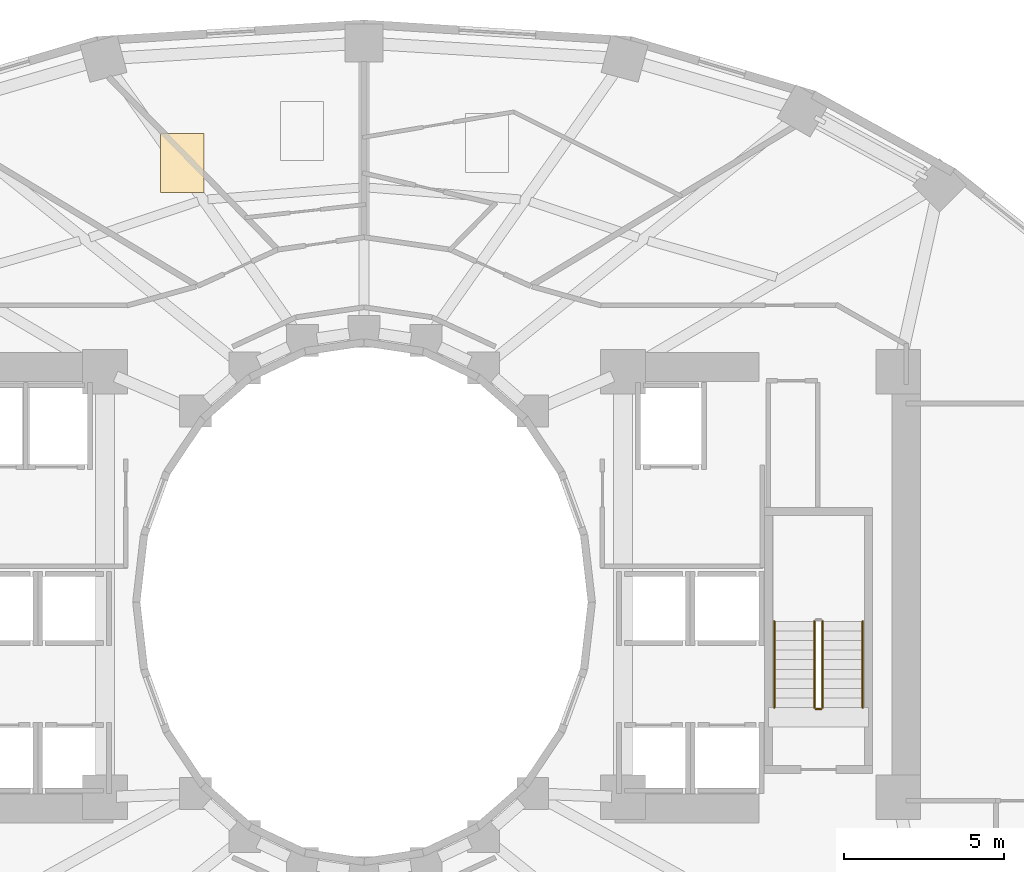
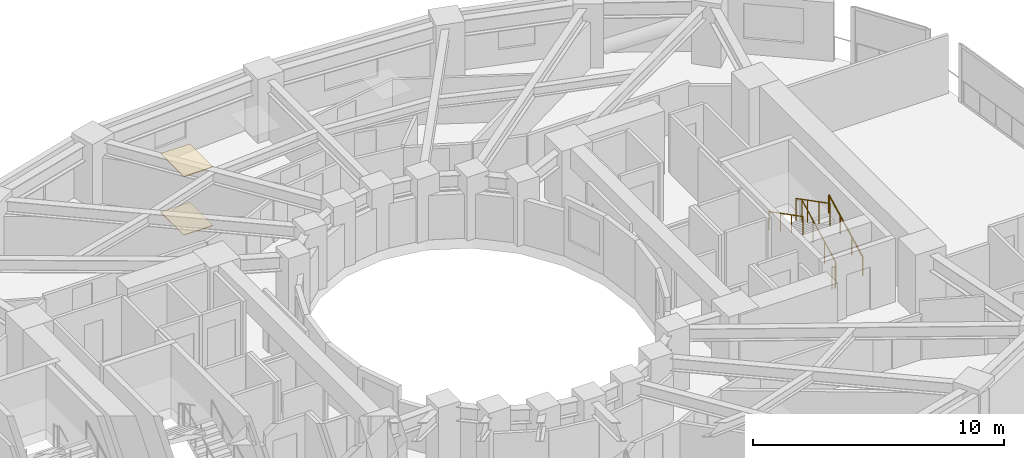
# One storey, part 13 of 15: 5 railings, 2 coverings.
"""IFC4 building model written with IfcOpenShell, lengths in metres."""

from ifc_helpers import new_model, si_unit, direction, frame, origin, origin_2d, place, context, subcontext, project, spatial, polyline, circle, outline, extrude, material, layer, layer_set, type_object, element, save


model = new_model("IFC4")

# Units and contexts
model_context = context("Model", 3, precision=1e-05, world=origin(), true_north=direction((0.0, 1.0)))
body_context = subcontext(model_context, "Body", "Model", "MODEL_VIEW")
ifc_project = project(units=[si_unit("LENGTHUNIT", "METRE"), si_unit("AREAUNIT", "SQUARE_METRE"), si_unit("VOLUMEUNIT", "CUBIC_METRE"), si_unit("PLANEANGLEUNIT", "RADIAN"), si_unit("MASSUNIT", "GRAM", prefix="KILO")], contexts=[model_context])

# Site, building, storey
site_placement = place(None, origin())
site = spatial("IfcSite", under=ifc_project, at=site_placement, CompositionType="ELEMENT")
building_placement = place(site_placement, origin())
building = spatial("IfcBuilding", under=site, at=building_placement, Name="Solvane Sanctuary Tower", CompositionType="ELEMENT")
storey_placement = place(building_placement, frame((0.0, 0.0, 46.199951171875)))
storey = spatial("IfcBuildingStorey", under=building, at=storey_placement, Name="L13", CompositionType="ELEMENT", Elevation=46.199951171875)

# Coverings
ifc_material_1 = material(Name="Acoustic Gypsum Partition Board")
ifc_layer_1 = layer(ifc_material_1, 0.02490234375, Name="Acoustic Gypsum Partition Board")
ifc_layer_set_1 = layer_set([ifc_layer_1], Name="Acoustic Gypsum Partition Board")
covering_type_1 = type_object("IfcCoveringType", Name="Covering CLG-ACOUST", PredefinedType="CEILING", material=ifc_layer_set_1)
covering_1_placement = place(storey_placement, frame((0.0, 0.0, 2.85009765625)))
element("IfcCovering", 1, at=covering_1_placement, inside=storey, type_object=covering_type_1, Name="L13 Unit Acoustic Ceiling Panel 3", PredefinedType="CEILING", context=body_context, shape_type="SweptSolid", body=[
    extrude(outline(polyline([(25.637939453125, 35.803955078125), (26.988037109375, 35.803955078125), (26.988037109375, 37.654052734375), (25.637939453125, 37.654052734375), (25.637939453125, 35.803955078125)])), origin(), (0.0, 0.0, 1.0), 0.030029296875),
])
ifc_material_2 = material(Name="Ceramic Tile Finish")
ifc_layer_2 = layer(ifc_material_2, 0.030029296875, Name="Ceramic Tile Finish")
ifc_layer_set_2 = layer_set([ifc_layer_2], Name="Ceramic Tile Finish")
covering_type_2 = type_object("IfcCoveringType", Name="Covering FLR-TERRAZZO", PredefinedType="FLOORING", material=ifc_layer_set_2)
covering_2_placement = place(storey_placement, origin())
element("IfcCovering", 2, at=covering_2_placement, inside=storey, type_object=covering_type_2, Name="L13 Unit Terrazzo Inlay 3", PredefinedType="FLOORING", context=body_context, shape_type="SweptSolid", body=[
    extrude(outline(polyline([(25.637939453125, 35.803955078125), (26.988037109375, 35.803955078125), (26.988037109375, 37.654052734375), (25.637939453125, 37.654052734375), (25.637939453125, 35.803955078125)])), origin(), (0.0, 0.0, 1.0), 0.03515625),
])

# Railings
ifc_material_3 = material(Name="Architectural Stainless Steel 316", Category="steel")
railing_type_1 = type_object("IfcRailingType", Name="Railing GR-BALC-1150", PredefinedType="BALUSTRADE", material=ifc_material_3)
railing_1_placement = place(storey_placement, frame((46.340087890625, 19.699951171875, 0.155029296875)))
element("IfcRailing", 3, at=railing_1_placement, inside=storey, type_object=railing_type_1, Name="L13 ST-2 stair guard 1", PredefinedType="BALUSTRADE", context=body_context, shape_type="SweptSolid", body=[
    extrude(circle(Radius=0.02392578125, at=origin_2d()), frame((0.0, 0.0, 1.076171875), z_axis=(0.0, 0.888419900624, 0.459031676658), x_axis=(-1.0, 0.0, 0.0)), (0.0, 0.0, 1.0), 3.0390625),
    extrude(circle(Radius=0.02099609375, at=origin_2d()), origin(), (0.0, 0.0, 1.0), 1.052001953125),
    extrude(circle(Radius=0.02099609375, at=origin_2d()), frame((0.0, 0.89990234375, 0.465087890625)), (0.0, 0.0, 1.0), 1.052001953125),
    extrude(circle(Radius=0.02099609375, at=origin_2d()), frame((0.0, 1.800048828125, 0.929931640625)), (0.0, 0.0, 1.0), 1.052001953125),
    extrude(circle(Radius=0.02099609375, at=origin_2d()), frame((0.0, 2.699951171875, 1.39501953125)), (0.0, 0.0, 1.0), 1.052001953125),
])
railing_2_placement = place(storey_placement, frame((46.080078125, 22.39990234375, 1.705078125)))
element("IfcRailing", 4, at=railing_2_placement, inside=storey, type_object=railing_type_1, Name="L13 ST-2 stair guard 3", PredefinedType="BALUSTRADE", context=body_context, shape_type="SweptSolid", body=[
    extrude(circle(Radius=0.02392578125, at=origin_2d()), frame((0.0, 0.0, 1.076171875), z_axis=(0.0, -0.888419900624, 0.459031676658), x_axis=(1.0, 0.0, 0.0)), (0.0, 0.0, 1.0), 3.0390625),
    extrude(circle(Radius=0.02099609375, at=origin_2d()), origin(), (0.0, 0.0, 1.0), 1.052001953125),
    extrude(circle(Radius=0.02099609375, at=origin_2d()), frame((0.0, -0.89990234375, 0.465087890625)), (0.0, 0.0, 1.0), 1.052001953125),
    extrude(circle(Radius=0.02099609375, at=origin_2d()), frame((0.0, -1.800048828125, 0.929931640625)), (0.0, 0.0, 1.0), 1.052001953125),
    extrude(circle(Radius=0.02099609375, at=origin_2d()), frame((0.0, -2.699951171875, 1.39501953125)), (0.0, 0.0, 1.0), 1.052001953125),
])
railing_3_placement = place(storey_placement, frame((46.2900390625, 19.64990234375, 0.0)))
element("IfcRailing", 5, at=railing_3_placement, inside=storey, type_object=railing_type_1, Name="L13 ST-2 stair guard 4", PredefinedType="BALUSTRADE", context=body_context, shape_type="SweptSolid", body=[
    extrude(circle(Radius=0.02392578125, at=origin_2d()), frame((0.0, 0.0, 1.076171875), z_axis=(-1.0, 0.0, 0.0), x_axis=(0.0, -1.0, 0.0)), (0.0, 0.0, 1.0), 0.16015625),
    extrude(circle(Radius=0.02099609375, at=origin_2d()), origin(), (0.0, 0.0, 1.0), 1.052001953125),
    extrude(circle(Radius=0.02099609375, at=origin_2d()), frame((-0.16015625, 0.0, 0.0)), (0.0, 0.0, 1.0), 1.052001953125),
])
railing_type_2 = type_object("IfcRailingType", Name="Railing HR-STAIR-920", PredefinedType="HANDRAIL", material=ifc_material_3)
railing_4_placement = place(storey_placement, frame((47.590087890625, 19.699951171875, 0.155029296875)))
element("IfcRailing", 6, at=railing_4_placement, inside=storey, type_object=railing_type_2, Name="L13 ST-2 stair handrail 1", PredefinedType="HANDRAIL", context=body_context, shape_type="SweptSolid", body=[
    extrude(circle(Radius=0.02392578125, at=origin_2d()), frame((0.0, 0.0, 0.8759765625), z_axis=(0.0, 0.888419900624, 0.459031676658), x_axis=(-1.0, 0.0, 0.0)), (0.0, 0.0, 1.0), 3.0390625),
    extrude(circle(Radius=0.02099609375, at=origin_2d()), origin(), (0.0, 0.0, 1.0), 0.851806640625),
    extrude(circle(Radius=0.02099609375, at=origin_2d()), frame((0.0, 0.89990234375, 0.465087890625)), (0.0, 0.0, 1.0), 0.851806640625),
    extrude(circle(Radius=0.02099609375, at=origin_2d()), frame((0.0, 1.800048828125, 0.929931640625)), (0.0, 0.0, 1.0), 0.851806640625),
    extrude(circle(Radius=0.02099609375, at=origin_2d()), frame((0.0, 2.699951171875, 1.39501953125)), (0.0, 0.0, 1.0), 0.851806640625),
])
railing_5_placement = place(storey_placement, frame((44.830078125, 22.39990234375, 1.705078125)))
element("IfcRailing", 7, at=railing_5_placement, inside=storey, type_object=railing_type_2, Name="L13 ST-2 stair handrail 2", PredefinedType="HANDRAIL", context=body_context, shape_type="SweptSolid", body=[
    extrude(circle(Radius=0.02392578125, at=origin_2d()), frame((0.0, 0.0, 0.8759765625), z_axis=(0.0, -0.888419900624, 0.459031676658), x_axis=(1.0, 0.0, 0.0)), (0.0, 0.0, 1.0), 3.0390625),
    extrude(circle(Radius=0.02099609375, at=origin_2d()), origin(), (0.0, 0.0, 1.0), 0.851806640625),
    extrude(circle(Radius=0.02099609375, at=origin_2d()), frame((0.0, -0.89990234375, 0.465087890625)), (0.0, 0.0, 1.0), 0.851806640625),
    extrude(circle(Radius=0.02099609375, at=origin_2d()), frame((0.0, -1.800048828125, 0.929931640625)), (0.0, 0.0, 1.0), 0.851806640625),
    extrude(circle(Radius=0.02099609375, at=origin_2d()), frame((0.0, -2.699951171875, 1.39501953125)), (0.0, 0.0, 1.0), 0.851806640625),
])

save(model, "model.ifc")
